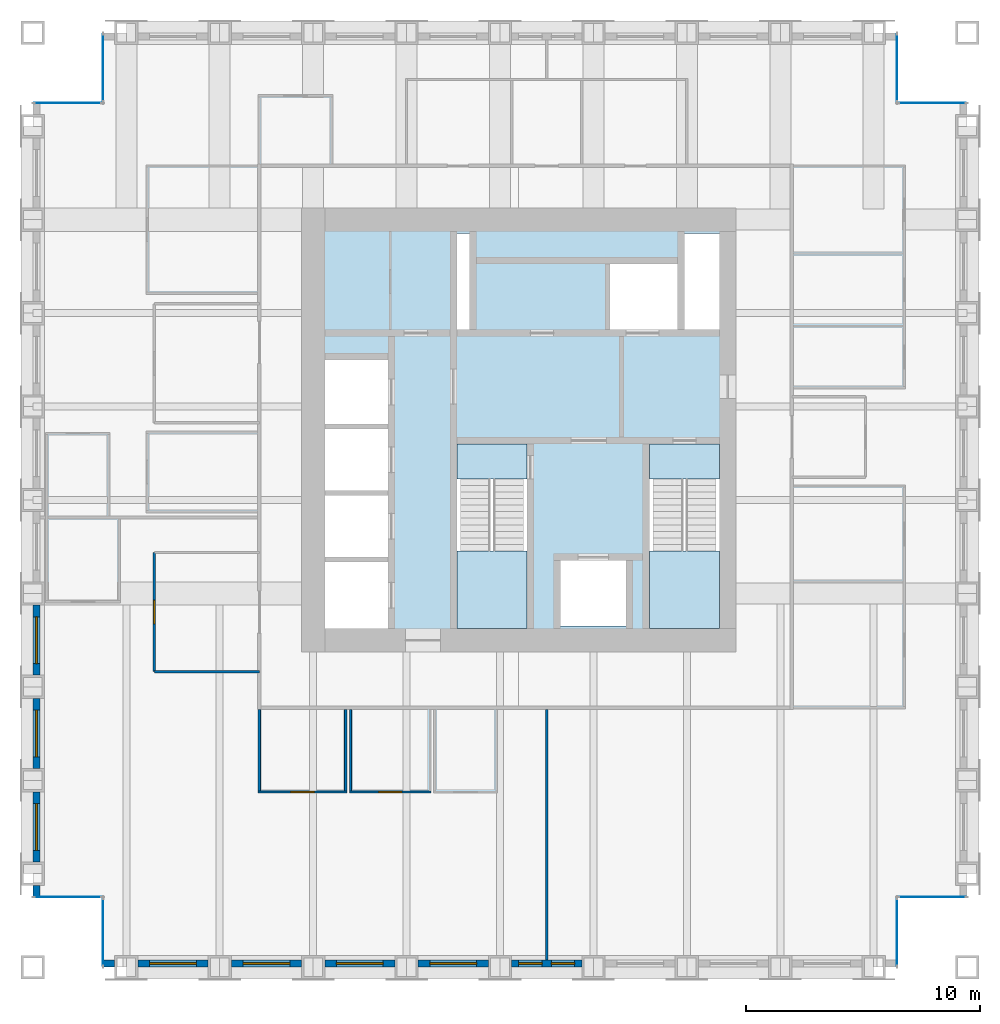
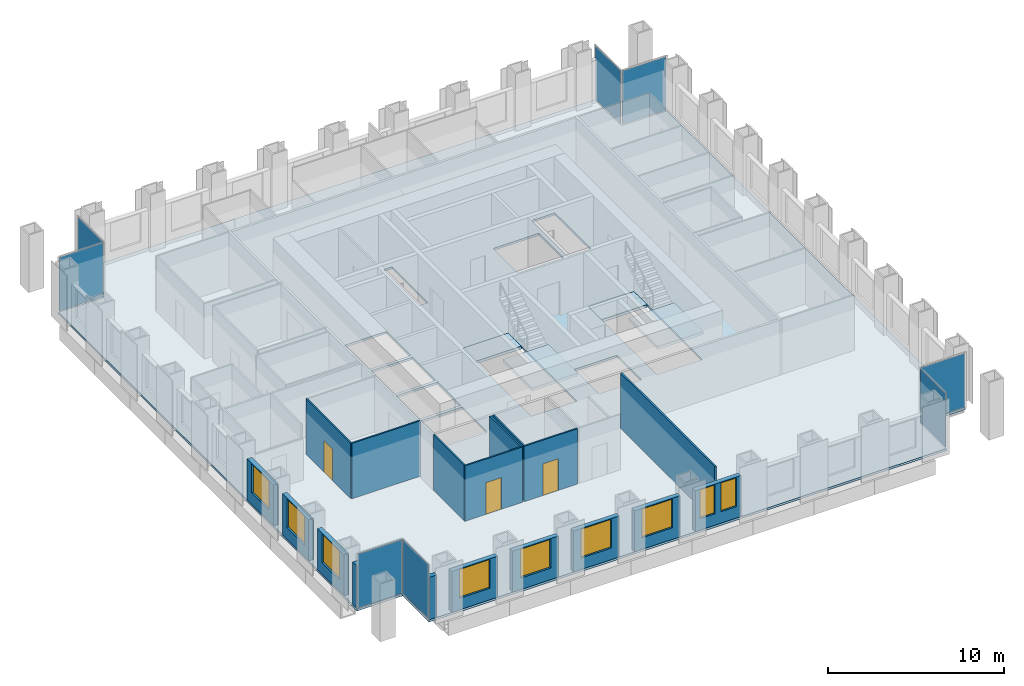
# One storey, part 7 of 13: 18 walls, 9 windows, 8 plates, 5 slabs, 3 doors, 12 openings, 10 elements without a shape of their own.
"""IFC4 building model written with IfcOpenShell, lengths in metres."""

from ifc_helpers import new_model, si_unit, direction, frame, frame_2d, origin, origin_2d, place, context, subcontext, project, spatial, polyline, rectangle, outline, extrude, material, layer, layer_set, type_object, element, fill, aggregate, save


model = new_model("IFC4")

# Units and contexts
model_context = context("Model", 3, precision=1e-05, world=origin(), true_north=direction((0.0, 1.0)))
body_context = subcontext(model_context, "Body", "Model", "MODEL_VIEW")
ifc_project = project(units=[si_unit("LENGTHUNIT", "METRE"), si_unit("AREAUNIT", "SQUARE_METRE"), si_unit("VOLUMEUNIT", "CUBIC_METRE"), si_unit("PLANEANGLEUNIT", "RADIAN"), si_unit("MASSUNIT", "GRAM", prefix="KILO")], contexts=[model_context])

# Site, building, storey
site_placement = place(None, origin())
site = spatial("IfcSite", under=ifc_project, at=site_placement, CompositionType="ELEMENT")
building_placement = place(site_placement, origin())
building = spatial("IfcBuilding", under=site, at=building_placement, Name="Rimbunsela Tower", CompositionType="ELEMENT")
storey_placement = place(building_placement, frame((0.0, 0.0, 286.199951171875)))
storey = spatial("IfcBuildingStorey", under=building, at=storey_placement, Name="L69", CompositionType="ELEMENT", Elevation=286.199951171875)

# Slab
ifc_material_1 = material(Name="Concrete fc' 35 MPa", Category="concrete")
ifc_layer_1 = layer(ifc_material_1, 0.14990234375)
ifc_layer_set_1 = layer_set([ifc_layer_1], Name="Floor slab 150")
slab_type_1 = type_object("IfcSlabType", Name="Floor slab 150", PredefinedType="FLOOR", material=ifc_layer_set_1)
slab_1_placement = place(storey_placement, frame((0.0, 0.0, -0.14990234375)))
element("IfcSlab", 1, at=slab_1_placement, inside=storey, type_object=slab_type_1, Name="Floor slab L69", PredefinedType="FLOOR", context=body_context, shape_type="SweptSolid", body=[
    extrude(outline(polyline([(9.0, 4.0), (43.0, 4.0), (43.0, 7.0), (46.0, 7.0), (46.0, 41.0), (43.0, 41.0), (43.0, 44.0), (9.0, 44.0), (9.0, 41.0), (6.0, 41.0), (6.0, 7.0), (9.0, 7.0), (9.0, 4.0)]), holes=[polyline([(21.199951171875, 21.35009765625), (18.5, 21.35009765625), (18.5, 18.5), (21.199951171875, 18.5), (21.199951171875, 21.35009765625)]), polyline([(21.199951171875, 21.550048828125), (21.199951171875, 24.199951171875), (18.5, 24.199951171875), (18.5, 21.550048828125), (21.199951171875, 21.550048828125)]), polyline([(21.199951171875, 27.050048828125), (18.5, 27.050048828125), (18.5, 24.39990234375), (21.199951171875, 24.39990234375), (21.199951171875, 27.050048828125)]), polyline([(21.199951171875, 30.0), (18.5, 30.0), (18.5, 27.25), (21.199951171875, 27.25), (21.199951171875, 30.0)]), polyline([(27.14990234375, 26.39990234375), (24.14990234375, 26.39990234375), (24.14990234375, 18.60009765625), (27.14990234375, 18.60009765625), (27.14990234375, 26.39990234375)]), polyline([(24.699951171875, 31.300048828125), (24.699951171875, 35.39990234375), (24.14990234375, 35.39990234375), (24.14990234375, 31.300048828125), (24.699951171875, 31.300048828125)]), polyline([(31.39990234375, 21.39990234375), (28.60009765625, 21.39990234375), (28.60009765625, 18.60009765625), (31.39990234375, 18.60009765625), (31.39990234375, 21.39990234375)]), polyline([(33.60009765625, 34.10009765625), (30.60009765625, 34.10009765625), (30.60009765625, 31.300048828125), (33.60009765625, 31.300048828125), (33.60009765625, 34.10009765625)]), polyline([(35.39990234375, 18.60009765625), (35.39990234375, 26.39990234375), (32.39990234375, 26.39990234375), (32.39990234375, 18.60009765625), (35.39990234375, 18.60009765625)]), polyline([(35.39990234375, 31.300048828125), (35.39990234375, 35.39990234375), (33.89990234375, 35.39990234375), (33.89990234375, 31.300048828125), (35.39990234375, 31.300048828125)])]), origin(), (0.0, 0.0, 1.0), 0.14990234375),
])

# Curtain wall, plate
ifc_material_2 = material(Name="Aluminium curtain wall", Category="aluminium")
curtain_wall_type = type_object("IfcCurtainWallType", Name="Corner glazing", PredefinedType="USERDEFINED", material=ifc_material_2)
curtain_wall_1_placement = place(storey_placement, origin())
curtain_wall_1 = element("IfcCurtainWall", 2, at=curtain_wall_1_placement, inside=storey, type_object=curtain_wall_type, Name="Corner glazing L69", ObjectType="CORNER GLAZING", PredefinedType="USERDEFINED")
ifc_material_3 = material(Name="Clear double glazing", Category="glass")
ifc_layer_2 = layer(ifc_material_3, 0.028076171875)
ifc_layer_set_2 = layer_set([ifc_layer_2], Name="Glazed panel clear")
plate_type = type_object("IfcPlateType", Name="Glazed panel clear", PredefinedType="CURTAIN_PANEL", material=ifc_layer_set_2)
plate_1_placement = place(storey_placement, frame((43.0, 5.5, 0.06005859375), z_axis=(0.0, 0.0, 1.0), x_axis=(0.0, 1.0, 0.0)))
plate_1 = element("IfcPlate", 3, at=plate_1_placement, type_object=plate_type, Name="CW5 panel 1.1", PredefinedType="CURTAIN_PANEL", context=body_context, shape_type="SweptSolid", body=[
    extrude(rectangle(XDim=2.8798828125, YDim=0.028076171875, at=origin_2d()), origin(), (0.0, 0.0, 1.0), 3.72998046875),
])
aggregate(curtain_wall_1, [plate_1])

curtain_wall_2_placement = place(storey_placement, origin())
curtain_wall_2 = element("IfcCurtainWall", 4, at=curtain_wall_2_placement, inside=storey, type_object=curtain_wall_type, Name="Corner glazing L69", ObjectType="CORNER GLAZING", PredefinedType="USERDEFINED")
plate_2_placement = place(storey_placement, frame((44.5, 7.0, 0.06005859375), z_axis=(0.0, 0.0, 1.0), x_axis=(1.0, 0.0, 0.0)))
plate_2 = element("IfcPlate", 5, at=plate_2_placement, type_object=plate_type, Name="CW5 panel 1.1", PredefinedType="CURTAIN_PANEL", context=body_context, shape_type="SweptSolid", body=[
    extrude(rectangle(XDim=2.8798828125, YDim=0.028076171875, at=origin_2d()), origin(), (0.0, 0.0, 1.0), 3.72998046875),
])
aggregate(curtain_wall_2, [plate_2])

curtain_wall_3_placement = place(storey_placement, origin())
curtain_wall_3 = element("IfcCurtainWall", 6, at=curtain_wall_3_placement, inside=storey, type_object=curtain_wall_type, Name="Corner glazing L69", ObjectType="CORNER GLAZING", PredefinedType="USERDEFINED")
plate_3_placement = place(storey_placement, frame((44.5, 41.0, 0.06005859375), z_axis=(0.0, 0.0, 1.0), x_axis=(-1.0, 0.0, 0.0)))
plate_3 = element("IfcPlate", 7, at=plate_3_placement, type_object=plate_type, Name="CW5 panel 1.1", PredefinedType="CURTAIN_PANEL", context=body_context, shape_type="SweptSolid", body=[
    extrude(rectangle(XDim=2.8798828125, YDim=0.028076171875, at=origin_2d()), origin(), (0.0, 0.0, 1.0), 3.72998046875),
])
aggregate(curtain_wall_3, [plate_3])

curtain_wall_4_placement = place(storey_placement, origin())
curtain_wall_4 = element("IfcCurtainWall", 8, at=curtain_wall_4_placement, inside=storey, type_object=curtain_wall_type, Name="Corner glazing L69", ObjectType="CORNER GLAZING", PredefinedType="USERDEFINED")
plate_4_placement = place(storey_placement, frame((43.0, 42.5, 0.06005859375), z_axis=(0.0, 0.0, 1.0), x_axis=(0.0, 1.0, 0.0)))
plate_4 = element("IfcPlate", 9, at=plate_4_placement, type_object=plate_type, Name="CW5 panel 1.1", PredefinedType="CURTAIN_PANEL", context=body_context, shape_type="SweptSolid", body=[
    extrude(rectangle(XDim=2.8798828125, YDim=0.028076171875, at=origin_2d()), origin(), (0.0, 0.0, 1.0), 3.72998046875),
])
aggregate(curtain_wall_4, [plate_4])

curtain_wall_5_placement = place(storey_placement, origin())
curtain_wall_5 = element("IfcCurtainWall", 10, at=curtain_wall_5_placement, inside=storey, type_object=curtain_wall_type, Name="Corner glazing L69", ObjectType="CORNER GLAZING", PredefinedType="USERDEFINED")
plate_5_placement = place(storey_placement, frame((9.0, 42.5, 0.06005859375), z_axis=(0.0, 0.0, 1.0), x_axis=(0.0, -1.0, 0.0)))
plate_5 = element("IfcPlate", 11, at=plate_5_placement, type_object=plate_type, Name="CW5 panel 1.1", PredefinedType="CURTAIN_PANEL", context=body_context, shape_type="SweptSolid", body=[
    extrude(rectangle(XDim=2.8798828125, YDim=0.028076171875, at=origin_2d()), origin(), (0.0, 0.0, 1.0), 3.72998046875),
])
aggregate(curtain_wall_5, [plate_5])

curtain_wall_6_placement = place(storey_placement, origin())
curtain_wall_6 = element("IfcCurtainWall", 12, at=curtain_wall_6_placement, inside=storey, type_object=curtain_wall_type, Name="Corner glazing L69", ObjectType="CORNER GLAZING", PredefinedType="USERDEFINED")
plate_6_placement = place(storey_placement, frame((7.5, 41.0, 0.06005859375), z_axis=(0.0, 0.0, 1.0), x_axis=(-1.0, 0.0, 0.0)))
plate_6 = element("IfcPlate", 13, at=plate_6_placement, type_object=plate_type, Name="CW5 panel 1.1", PredefinedType="CURTAIN_PANEL", context=body_context, shape_type="SweptSolid", body=[
    extrude(rectangle(XDim=2.8798828125, YDim=0.028076171875, at=origin_2d()), origin(), (0.0, 0.0, 1.0), 3.72998046875),
])
aggregate(curtain_wall_6, [plate_6])

curtain_wall_7_placement = place(storey_placement, origin())
curtain_wall_7 = element("IfcCurtainWall", 14, at=curtain_wall_7_placement, inside=storey, type_object=curtain_wall_type, Name="Corner glazing L69", ObjectType="CORNER GLAZING", PredefinedType="USERDEFINED")
plate_7_placement = place(storey_placement, frame((7.5, 7.0, 0.06005859375), z_axis=(0.0, 0.0, 1.0), x_axis=(1.0, 0.0, 0.0)))
plate_7 = element("IfcPlate", 15, at=plate_7_placement, type_object=plate_type, Name="CW5 panel 1.1", PredefinedType="CURTAIN_PANEL", context=body_context, shape_type="SweptSolid", body=[
    extrude(rectangle(XDim=2.8798828125, YDim=0.028076171875, at=origin_2d()), origin(), (0.0, 0.0, 1.0), 3.72998046875),
])
aggregate(curtain_wall_7, [plate_7])

curtain_wall_8_placement = place(storey_placement, origin())
curtain_wall_8 = element("IfcCurtainWall", 16, at=curtain_wall_8_placement, inside=storey, type_object=curtain_wall_type, Name="Corner glazing L69", ObjectType="CORNER GLAZING", PredefinedType="USERDEFINED")
plate_8_placement = place(storey_placement, frame((9.0, 5.5, 0.06005859375), z_axis=(0.0, 0.0, 1.0), x_axis=(0.0, -1.0, 0.0)))
plate_8 = element("IfcPlate", 17, at=plate_8_placement, type_object=plate_type, Name="CW5 panel 1.1", PredefinedType="CURTAIN_PANEL", context=body_context, shape_type="SweptSolid", body=[
    extrude(rectangle(XDim=2.8798828125, YDim=0.028076171875, at=origin_2d()), origin(), (0.0, 0.0, 1.0), 3.72998046875),
])
aggregate(curtain_wall_8, [plate_8])

# Stair, slabs
ifc_material_4 = material(Name="Concrete fc' 35 MPa", Category="concrete")
stair_type = type_object("IfcStairType", Name="Exit stair 24 risers", PredefinedType="HALF_TURN_STAIR", material=ifc_material_4)
stair_1_placement = place(storey_placement, origin())
stair_1 = element("IfcStair", 18, at=stair_1_placement, inside=storey, type_object=stair_type, Name="Exit stair A L69", PredefinedType="HALF_TURN_STAIR")
ifc_material_5 = material(Name="Concrete fc' 35 MPa", Category="concrete")
ifc_layer_3 = layer(ifc_material_5, 0.199951171875)
ifc_layer_set_3 = layer_set([ifc_layer_3], Name="Stair landing 200")
slab_type_2 = type_object("IfcSlabType", Name="Stair landing 200", PredefinedType="LANDING", material=ifc_layer_set_3)
slab_2_placement = place(storey_placement, frame((0.0, 0.0, -0.199951171875)))
slab_2 = element("IfcSlab", 19, at=slab_2_placement, type_object=slab_type_2, Name="ST-A landing 1", PredefinedType="LANDING", context=body_context, shape_type="SweptSolid", body=[
    extrude(outline(polyline([(24.14990234375, 24.89990234375), (27.14990234375, 24.89990234375), (27.14990234375, 26.39990234375), (24.14990234375, 26.39990234375), (24.14990234375, 24.89990234375)])), origin(), (0.0, 0.0, 1.0), 0.199951171875),
])
slab_3_placement = place(storey_placement, frame((0.0, 0.0, 1.800048828125)))
slab_3 = element("IfcSlab", 20, at=slab_3_placement, type_object=slab_type_2, Name="ST-A landing 2", PredefinedType="LANDING", context=body_context, shape_type="SweptSolid", body=[
    extrude(outline(polyline([(24.14990234375, 18.5), (27.14990234375, 18.5), (27.14990234375, 21.820068359375), (24.14990234375, 21.820068359375), (24.14990234375, 18.5)])), origin(), (0.0, 0.0, 1.0), 0.199951171875),
])
aggregate(stair_1, [slab_2, slab_3])

stair_2_placement = place(storey_placement, origin())
stair_2 = element("IfcStair", 21, at=stair_2_placement, inside=storey, type_object=stair_type, Name="Exit stair B L69", PredefinedType="HALF_TURN_STAIR")
slab_4_placement = place(storey_placement, frame((0.0, 0.0, -0.199951171875)))
slab_4 = element("IfcSlab", 22, at=slab_4_placement, type_object=slab_type_2, Name="ST-B landing 1", PredefinedType="LANDING", context=body_context, shape_type="SweptSolid", body=[
    extrude(outline(polyline([(32.39990234375, 24.89990234375), (35.39990234375, 24.89990234375), (35.39990234375, 26.39990234375), (32.39990234375, 26.39990234375), (32.39990234375, 24.89990234375)])), origin(), (0.0, 0.0, 1.0), 0.199951171875),
])
slab_5_placement = place(storey_placement, frame((0.0, 0.0, 1.800048828125)))
slab_5 = element("IfcSlab", 23, at=slab_5_placement, type_object=slab_type_2, Name="ST-B landing 2", PredefinedType="LANDING", context=body_context, shape_type="SweptSolid", body=[
    extrude(outline(polyline([(32.39990234375, 18.5), (35.39990234375, 18.5), (35.39990234375, 21.820068359375), (32.39990234375, 21.820068359375), (32.39990234375, 18.5)])), origin(), (0.0, 0.0, 1.0), 0.199951171875),
])
aggregate(stair_2, [slab_4, slab_5])

# Wall, opening, door
ifc_material_6 = material(Name="Gypsum board on steel studs", Category="steel")
ifc_layer_4 = layer(ifc_material_6, 0.10009765625)
ifc_layer_set_4 = layer_set([ifc_layer_4], Name="Office partition 100")
wall_type_1 = type_object("IfcWallType", Name="Office partition 100", PredefinedType="PARTITIONING", material=ifc_layer_set_4)
wall_1_placement = place(storey_placement, frame((15.64990234375, 11.5, 0.0), z_axis=(0.0, 0.0, 1.0), x_axis=(1.0, 0.0, 0.0)))
wall_1 = element("IfcWall", 24, at=wall_1_placement, inside=storey, type_object=wall_type_1, Name="Office partition", PredefinedType="PARTITIONING", context=body_context, shape_type="SweptSolid", body=[
    extrude(rectangle(XDim=3.800048828125, YDim=0.10009765625, at=frame_2d((1.89990234375, 0.0))), origin(), (0.0, 0.0, 1.0), 3.85009765625),
])
opening_1_placement = place(wall_1_placement, frame((1.39990234375, 0.0, 0.0)))
opening_1 = element("IfcOpeningElement", 25, at=opening_1_placement, cuts=wall_1, Name="Opening D17", PredefinedType="OPENING", context=body_context, shape_type="SweptSolid", body=[
    extrude(rectangle(XDim=1.0, YDim=2.199951171875, at=frame_2d((0.5, 1.10009765625))), frame((0.0, 0.06005859375, 0.0), z_axis=(0.0, -1.0, 0.0), x_axis=(1.0, 0.0, 0.0)), (0.0, 0.0, 1.0), 0.1201171875),
])
ifc_material_7 = material(Name="Glazed aluminium door", Category="aluminium")
door_type_1 = type_object("IfcDoorType", Name="Meeting room door 1000 glazed", OperationType="SINGLE_SWING_RIGHT", PredefinedType="DOOR", material=ifc_material_7)
door_1_placement = place(opening_1_placement, origin())
door_1 = element("IfcDoor", 26, at=door_1_placement, inside=storey, type_object=door_type_1, Name="Meeting room door", OperationType="SINGLE_SWING_RIGHT", OverallHeight=2.199951171875, OverallWidth=1.0, PredefinedType="DOOR", context=body_context, shape_type="SweptSolid", body=[
    extrude(rectangle(XDim=1.0, YDim=2.199951171875, at=frame_2d((0.5, 1.10009765625))), frame((0.0, 0.02490234375, 0.0), z_axis=(0.0, -1.0, 0.0), x_axis=(1.0, 0.0, 0.0)), (0.0, 0.0, 1.0), 0.050048828125),
])
fill(opening_1, door_1)

wall_2_placement = place(storey_placement, frame((19.550048828125, 11.5, 0.0), z_axis=(0.0, 0.0, 1.0), x_axis=(1.0, 0.0, 0.0)))
wall_2 = element("IfcWall", 27, at=wall_2_placement, inside=storey, type_object=wall_type_1, Name="Office partition", PredefinedType="PARTITIONING", context=body_context, shape_type="SweptSolid", body=[
    extrude(rectangle(XDim=3.5, YDim=0.10009765625, at=frame_2d((1.75, 0.0))), origin(), (0.0, 0.0, 1.0), 3.85009765625),
])
opening_2_placement = place(wall_2_placement, frame((1.25, 0.0, 0.0)))
opening_2 = element("IfcOpeningElement", 28, at=opening_2_placement, cuts=wall_2, Name="Opening D16", PredefinedType="OPENING", context=body_context, shape_type="SweptSolid", body=[
    extrude(rectangle(XDim=1.0, YDim=2.199951171875, at=frame_2d((0.5, 1.10009765625))), frame((0.0, 0.06005859375, 0.0), z_axis=(0.0, -1.0, 0.0), x_axis=(1.0, 0.0, 0.0)), (0.0, 0.0, 1.0), 0.1201171875),
])
ifc_material_8 = material(Name="Timber door", Category="wood")
door_type_2 = type_object("IfcDoorType", Name="Office door 1000", OperationType="SINGLE_SWING_LEFT", PredefinedType="DOOR", material=ifc_material_8)
door_2_placement = place(opening_2_placement, origin())
door_2 = element("IfcDoor", 29, at=door_2_placement, inside=storey, type_object=door_type_2, Name="Office door", OperationType="SINGLE_SWING_LEFT", OverallHeight=2.199951171875, OverallWidth=1.0, PredefinedType="DOOR", context=body_context, shape_type="SweptSolid", body=[
    extrude(rectangle(XDim=1.0, YDim=2.199951171875, at=frame_2d((0.5, 1.10009765625))), frame((0.0, 0.02490234375, 0.0), z_axis=(0.0, -1.0, 0.0), x_axis=(1.0, 0.0, 0.0)), (0.0, 0.0, 1.0), 0.050048828125),
])
fill(opening_2, door_2)

# Walls
for number, where, z_axis, x_axis, name in (
    (30, (15.699951171875, 11.550048828125, 0.0), (0.0, 0.0, 1.0), (0.0, 1.0, 0.0), "Office partition"),
    (31, (19.39990234375, 11.550048828125, 0.0), (0.0, 0.0, 1.0), (0.0, 1.0, 0.0), "Office partition"),
    (32, (19.60009765625, 11.550048828125, 0.0), (0.0, 0.0, 1.0), (0.0, 1.0, 0.0), "Office partition"),
):
    element("IfcWall", number, at=place(storey_placement, frame(where, z_axis=z_axis, x_axis=x_axis)), inside=storey, type_object=wall_type_1, Name=name, PredefinedType="PARTITIONING", context=body_context, shape_type="SweptSolid", body=[
        extrude(rectangle(XDim=3.474853515625, YDim=0.10009765625, at=frame_2d((1.7373046875, 0.0))), origin(), (0.0, 0.0, 1.0), 3.85009765625),
    ])

# Wall, opening, door
wall_3_placement = place(storey_placement, frame((11.199951171875, 21.75, 0.0), z_axis=(0.0, 0.0, 1.0), x_axis=(0.0, -1.0, 0.0)))
wall_3 = element("IfcWall", 33, at=wall_3_placement, inside=storey, type_object=wall_type_1, Name="Office partition", PredefinedType="PARTITIONING", context=body_context, shape_type="SweptSolid", body=[
    extrude(rectangle(XDim=5.10009765625, YDim=0.10009765625, at=frame_2d((2.550048828125, 0.0))), origin(), (0.0, 0.0, 1.0), 3.85009765625),
])
opening_3_placement = place(wall_3_placement, frame((2.050048828125, 0.0, 0.0)))
opening_3 = element("IfcOpeningElement", 34, at=opening_3_placement, cuts=wall_3, Name="Opening D17", PredefinedType="OPENING", context=body_context, shape_type="SweptSolid", body=[
    extrude(rectangle(XDim=1.0, YDim=2.199951171875, at=frame_2d((0.5, 1.10009765625))), frame((0.0, 0.06005859375, 0.0), z_axis=(0.0, -1.0, 0.0), x_axis=(1.0, 0.0, 0.0)), (0.0, 0.0, 1.0), 0.1201171875),
])
door_3_placement = place(opening_3_placement, origin())
door_3 = element("IfcDoor", 35, at=door_3_placement, inside=storey, type_object=door_type_1, Name="Reception door", OperationType="SINGLE_SWING_RIGHT", OverallHeight=2.199951171875, OverallWidth=1.0, PredefinedType="DOOR", context=body_context, shape_type="SweptSolid", body=[
    extrude(rectangle(XDim=1.0, YDim=2.199951171875, at=frame_2d((0.5, 1.10009765625))), frame((0.0, 0.02490234375, 0.0), z_axis=(0.0, -1.0, 0.0), x_axis=(1.0, 0.0, 0.0)), (0.0, 0.0, 1.0), 0.050048828125),
])
fill(opening_3, door_3)

# Walls
wall_4_placement = place(storey_placement, frame((11.199951171875, 16.64990234375, 0.0), z_axis=(0.0, 0.0, 1.0), x_axis=(1.0, 0.0, 0.0)))
element("IfcWall", 36, at=wall_4_placement, inside=storey, type_object=wall_type_1, Name="Office partition", PredefinedType="PARTITIONING", context=body_context, shape_type="SweptSolid", body=[
    extrude(rectangle(XDim=4.5, YDim=0.10009765625, at=frame_2d((2.25, 0.0))), origin(), (0.0, 0.0, 1.0), 3.85009765625),
])
ifc_material_9 = material(Name="Precast concrete fc' 35 MPa", Category="concrete")
ifc_layer_5 = layer(ifc_material_9, 0.300048828125)
ifc_layer_set_5 = layer_set([ifc_layer_5], Name="Precast concrete fc' 35 MPa")
wall_type_2 = type_object("IfcWallType", Name="Precast facade panel 300", PredefinedType="ELEMENTEDWALL", material=ifc_layer_set_5)
wall_5_placement = place(storey_placement, frame((9.030029296875, 4.14990234375, 0.0), z_axis=(0.0, 0.0, 1.0), x_axis=(1.0, 0.0, 0.0)))
element("IfcWall", 37, at=wall_5_placement, inside=storey, type_object=wall_type_2, Name="Facade panel S L69", PredefinedType="ELEMENTEDWALL", context=body_context, shape_type="SweptSolid", body=[
    extrude(rectangle(XDim=0.469970703125, YDim=0.300048828125, at=frame_2d((0.23486328125, 0.0))), origin(), (0.0, 0.0, 1.0), 2.949951171875),
])

# Wall, opening, window
wall_6_placement = place(storey_placement, frame((10.5, 4.14990234375, 0.0), z_axis=(0.0, 0.0, 1.0), x_axis=(1.0, 0.0, 0.0)))
wall_6 = element("IfcWall", 38, at=wall_6_placement, inside=storey, type_object=wall_type_2, Name="Facade panel S L69", PredefinedType="ELEMENTEDWALL", context=body_context, shape_type="SweptSolid", body=[
    extrude(rectangle(XDim=3.0, YDim=0.300048828125, at=frame_2d((1.5, 0.0))), origin(), (0.0, 0.0, 1.0), 2.85009765625),
])
opening_4_placement = place(wall_6_placement, frame((0.5, 0.0, 0.800048828125)))
opening_4 = element("IfcOpeningElement", 39, at=opening_4_placement, cuts=wall_6, Name="Opening W1", PredefinedType="OPENING", context=body_context, shape_type="SweptSolid", body=[
    extrude(rectangle(XDim=2.0, YDim=2.0, at=frame_2d((1.0, 1.0))), frame((0.0, 0.159912109375, 0.0), z_axis=(0.0, -1.0, 0.0), x_axis=(1.0, 0.0, 0.0)), (0.0, 0.0, 1.0), 0.320068359375),
])
ifc_material_10 = material(Name="Clear glass in aluminium frame", Category="aluminium")
window_type_1 = type_object("IfcWindowType", Name="Window W1 2000x2000", PartitioningType="DOUBLE_PANEL_VERTICAL", PredefinedType="WINDOW", material=ifc_material_10)
window_1_placement = place(opening_4_placement, origin())
window_1 = element("IfcWindow", 40, at=window_1_placement, inside=storey, type_object=window_type_1, Name="Window L69", OverallHeight=2.0, OverallWidth=2.0, PartitioningType="SINGLE_PANEL", PredefinedType="WINDOW", context=body_context, shape_type="SweptSolid", body=[
    extrude(rectangle(XDim=2.0, YDim=2.0, at=frame_2d((1.0, 1.0))), frame((0.0, 0.030029296875, 0.0), z_axis=(0.0, -1.0, 0.0), x_axis=(1.0, 0.0, 0.0)), (0.0, 0.0, 1.0), 0.06005859375),
])
fill(opening_4, window_1)

wall_7_placement = place(storey_placement, frame((14.5, 4.14990234375, 0.0), z_axis=(0.0, 0.0, 1.0), x_axis=(1.0, 0.0, 0.0)))
wall_7 = element("IfcWall", 41, at=wall_7_placement, inside=storey, type_object=wall_type_2, Name="Facade panel S L69", PredefinedType="ELEMENTEDWALL", context=body_context, shape_type="SweptSolid", body=[
    extrude(rectangle(XDim=3.0, YDim=0.300048828125, at=frame_2d((1.5, 0.0))), origin(), (0.0, 0.0, 1.0), 2.85009765625),
])
opening_5_placement = place(wall_7_placement, frame((0.5, 0.0, 0.800048828125)))
opening_5 = element("IfcOpeningElement", 42, at=opening_5_placement, cuts=wall_7, Name="Opening W1", PredefinedType="OPENING", context=body_context, shape_type="SweptSolid", body=[
    extrude(rectangle(XDim=2.0, YDim=2.0, at=frame_2d((1.0, 1.0))), frame((0.0, 0.159912109375, 0.0), z_axis=(0.0, -1.0, 0.0), x_axis=(1.0, 0.0, 0.0)), (0.0, 0.0, 1.0), 0.320068359375),
])
window_2_placement = place(opening_5_placement, origin())
window_2 = element("IfcWindow", 43, at=window_2_placement, inside=storey, type_object=window_type_1, Name="Window L69", OverallHeight=2.0, OverallWidth=2.0, PartitioningType="SINGLE_PANEL", PredefinedType="WINDOW", context=body_context, shape_type="SweptSolid", body=[
    extrude(rectangle(XDim=2.0, YDim=2.0, at=frame_2d((1.0, 1.0))), frame((0.0, 0.030029296875, 0.0), z_axis=(0.0, -1.0, 0.0), x_axis=(1.0, 0.0, 0.0)), (0.0, 0.0, 1.0), 0.06005859375),
])
fill(opening_5, window_2)

wall_8_placement = place(storey_placement, frame((18.5, 4.14990234375, 0.0), z_axis=(0.0, 0.0, 1.0), x_axis=(1.0, 0.0, 0.0)))
wall_8 = element("IfcWall", 44, at=wall_8_placement, inside=storey, type_object=wall_type_2, Name="Facade panel S L69", PredefinedType="ELEMENTEDWALL", context=body_context, shape_type="SweptSolid", body=[
    extrude(rectangle(XDim=3.0, YDim=0.300048828125, at=frame_2d((1.5, 0.0))), origin(), (0.0, 0.0, 1.0), 2.85009765625),
])
opening_6_placement = place(wall_8_placement, frame((0.5, 0.0, 0.800048828125)))
opening_6 = element("IfcOpeningElement", 45, at=opening_6_placement, cuts=wall_8, Name="Opening W1", PredefinedType="OPENING", context=body_context, shape_type="SweptSolid", body=[
    extrude(rectangle(XDim=2.0, YDim=2.0, at=frame_2d((1.0, 1.0))), frame((0.0, 0.159912109375, 0.0), z_axis=(0.0, -1.0, 0.0), x_axis=(1.0, 0.0, 0.0)), (0.0, 0.0, 1.0), 0.320068359375),
])
window_3_placement = place(opening_6_placement, origin())
window_3 = element("IfcWindow", 46, at=window_3_placement, inside=storey, type_object=window_type_1, Name="Window L69", OverallHeight=2.0, OverallWidth=2.0, PartitioningType="SINGLE_PANEL", PredefinedType="WINDOW", context=body_context, shape_type="SweptSolid", body=[
    extrude(rectangle(XDim=2.0, YDim=2.0, at=frame_2d((1.0, 1.0))), frame((0.0, 0.030029296875, 0.0), z_axis=(0.0, -1.0, 0.0), x_axis=(1.0, 0.0, 0.0)), (0.0, 0.0, 1.0), 0.06005859375),
])
fill(opening_6, window_3)

wall_9_placement = place(storey_placement, frame((22.5, 4.14990234375, 0.0), z_axis=(0.0, 0.0, 1.0), x_axis=(1.0, 0.0, 0.0)))
wall_9 = element("IfcWall", 47, at=wall_9_placement, inside=storey, type_object=wall_type_2, Name="Facade panel S L69", PredefinedType="ELEMENTEDWALL", context=body_context, shape_type="SweptSolid", body=[
    extrude(rectangle(XDim=3.0, YDim=0.300048828125, at=frame_2d((1.5, 0.0))), origin(), (0.0, 0.0, 1.0), 2.85009765625),
])
opening_7_placement = place(wall_9_placement, frame((0.5, 0.0, 0.800048828125)))
opening_7 = element("IfcOpeningElement", 48, at=opening_7_placement, cuts=wall_9, Name="Opening W1", PredefinedType="OPENING", context=body_context, shape_type="SweptSolid", body=[
    extrude(rectangle(XDim=2.0, YDim=2.0, at=frame_2d((1.0, 1.0))), frame((0.0, 0.159912109375, 0.0), z_axis=(0.0, -1.0, 0.0), x_axis=(1.0, 0.0, 0.0)), (0.0, 0.0, 1.0), 0.320068359375),
])
window_4_placement = place(opening_7_placement, origin())
window_4 = element("IfcWindow", 49, at=window_4_placement, inside=storey, type_object=window_type_1, Name="Window L69", OverallHeight=2.0, OverallWidth=2.0, PartitioningType="SINGLE_PANEL", PredefinedType="WINDOW", context=body_context, shape_type="SweptSolid", body=[
    extrude(rectangle(XDim=2.0, YDim=2.0, at=frame_2d((1.0, 1.0))), frame((0.0, 0.030029296875, 0.0), z_axis=(0.0, -1.0, 0.0), x_axis=(1.0, 0.0, 0.0)), (0.0, 0.0, 1.0), 0.06005859375),
])
fill(opening_7, window_4)

# Wall, openings, windows
wall_10_placement = place(storey_placement, frame((26.5, 4.14990234375, 0.0), z_axis=(0.0, 0.0, 1.0), x_axis=(1.0, 0.0, 0.0)))
wall_10 = element("IfcWall", 50, at=wall_10_placement, inside=storey, type_object=wall_type_2, Name="Facade panel S L69", PredefinedType="ELEMENTEDWALL", context=body_context, shape_type="SweptSolid", body=[
    extrude(rectangle(XDim=3.0, YDim=0.300048828125, at=frame_2d((1.5, 0.0))), origin(), (0.0, 0.0, 1.0), 2.85009765625),
])
opening_8_placement = place(wall_10_placement, frame((0.300048828125, 0.0, 0.800048828125)))
opening_8 = element("IfcOpeningElement", 51, at=opening_8_placement, cuts=wall_10, Name="Opening W5", PredefinedType="OPENING", context=body_context, shape_type="SweptSolid", body=[
    extrude(rectangle(XDim=1.0, YDim=2.0, at=frame_2d((0.5, 1.0))), frame((0.0, 0.159912109375, 0.0), z_axis=(0.0, -1.0, 0.0), x_axis=(1.0, 0.0, 0.0)), (0.0, 0.0, 1.0), 0.320068359375),
])
opening_9_placement = place(wall_10_placement, frame((1.699951171875, 0.0, 0.800048828125)))
opening_9 = element("IfcOpeningElement", 52, at=opening_9_placement, cuts=wall_10, Name="Opening W5", PredefinedType="OPENING", context=body_context, shape_type="SweptSolid", body=[
    extrude(rectangle(XDim=1.0, YDim=2.0, at=frame_2d((0.5, 1.0))), frame((0.0, 0.159912109375, 0.0), z_axis=(0.0, -1.0, 0.0), x_axis=(1.0, 0.0, 0.0)), (0.0, 0.0, 1.0), 0.320068359375),
])
ifc_material_11 = material(Name="Clear glass in aluminium frame", Category="aluminium")
window_type_2 = type_object("IfcWindowType", Name="Window W5 1000x2000", PartitioningType="SINGLE_PANEL", PredefinedType="WINDOW", material=ifc_material_11)
window_5_placement = place(opening_8_placement, origin())
window_5 = element("IfcWindow", 53, at=window_5_placement, inside=storey, type_object=window_type_2, Name="Window L69", OverallHeight=2.0, OverallWidth=1.0, PartitioningType="SINGLE_PANEL", PredefinedType="WINDOW", context=body_context, shape_type="SweptSolid", body=[
    extrude(rectangle(XDim=1.0, YDim=2.0, at=frame_2d((0.5, 1.0))), frame((0.0, 0.030029296875, 0.0), z_axis=(0.0, -1.0, 0.0), x_axis=(1.0, 0.0, 0.0)), (0.0, 0.0, 1.0), 0.06005859375),
])
fill(opening_8, window_5)
window_6_placement = place(opening_9_placement, origin())
window_6 = element("IfcWindow", 54, at=window_6_placement, inside=storey, type_object=window_type_2, Name="Window L69", OverallHeight=2.0, OverallWidth=1.0, PartitioningType="SINGLE_PANEL", PredefinedType="WINDOW", context=body_context, shape_type="SweptSolid", body=[
    extrude(rectangle(XDim=1.0, YDim=2.0, at=frame_2d((0.5, 1.0))), frame((0.0, 0.030029296875, 0.0), z_axis=(0.0, -1.0, 0.0), x_axis=(1.0, 0.0, 0.0)), (0.0, 0.0, 1.0), 0.06005859375),
])
fill(opening_9, window_6)

# Wall
wall_11_placement = place(storey_placement, frame((6.14990234375, 7.5, 0.0), z_axis=(0.0, 0.0, 1.0), x_axis=(0.0, -1.0, 0.0)))
element("IfcWall", 55, at=wall_11_placement, inside=storey, type_object=wall_type_2, Name="Facade panel W L69", PredefinedType="ELEMENTEDWALL", context=body_context, shape_type="SweptSolid", body=[
    extrude(rectangle(XDim=0.469970703125, YDim=0.300048828125, at=frame_2d((0.23486328125, 0.0))), origin(), (0.0, 0.0, 1.0), 2.949951171875),
])

# Wall, opening, window
wall_12_placement = place(storey_placement, frame((6.14990234375, 11.5, 0.0), z_axis=(0.0, 0.0, 1.0), x_axis=(0.0, -1.0, 0.0)))
wall_12 = element("IfcWall", 56, at=wall_12_placement, inside=storey, type_object=wall_type_2, Name="Facade panel W L69", PredefinedType="ELEMENTEDWALL", context=body_context, shape_type="SweptSolid", body=[
    extrude(rectangle(XDim=3.0, YDim=0.300048828125, at=frame_2d((1.5, 0.0))), origin(), (0.0, 0.0, 1.0), 2.85009765625),
])
opening_10_placement = place(wall_12_placement, frame((0.5, 0.0, 0.800048828125)))
opening_10 = element("IfcOpeningElement", 57, at=opening_10_placement, cuts=wall_12, Name="Opening W1", PredefinedType="OPENING", context=body_context, shape_type="SweptSolid", body=[
    extrude(rectangle(XDim=2.0, YDim=2.0, at=frame_2d((1.0, 1.0))), frame((0.0, 0.159912109375, 0.0), z_axis=(0.0, -1.0, 0.0), x_axis=(1.0, 0.0, 0.0)), (0.0, 0.0, 1.0), 0.320068359375),
])
window_7_placement = place(opening_10_placement, origin())
window_7 = element("IfcWindow", 58, at=window_7_placement, inside=storey, type_object=window_type_1, Name="Window L69", OverallHeight=2.0, OverallWidth=2.0, PartitioningType="SINGLE_PANEL", PredefinedType="WINDOW", context=body_context, shape_type="SweptSolid", body=[
    extrude(rectangle(XDim=2.0, YDim=2.0, at=frame_2d((1.0, 1.0))), frame((0.0, 0.030029296875, 0.0), z_axis=(0.0, -1.0, 0.0), x_axis=(1.0, 0.0, 0.0)), (0.0, 0.0, 1.0), 0.06005859375),
])
fill(opening_10, window_7)

wall_13_placement = place(storey_placement, frame((6.14990234375, 15.5, 0.0), z_axis=(0.0, 0.0, 1.0), x_axis=(0.0, -1.0, 0.0)))
wall_13 = element("IfcWall", 59, at=wall_13_placement, inside=storey, type_object=wall_type_2, Name="Facade panel W L69", PredefinedType="ELEMENTEDWALL", context=body_context, shape_type="SweptSolid", body=[
    extrude(rectangle(XDim=3.0, YDim=0.300048828125, at=frame_2d((1.5, 0.0))), origin(), (0.0, 0.0, 1.0), 2.85009765625),
])
opening_11_placement = place(wall_13_placement, frame((0.5, 0.0, 0.800048828125)))
opening_11 = element("IfcOpeningElement", 60, at=opening_11_placement, cuts=wall_13, Name="Opening W1", PredefinedType="OPENING", context=body_context, shape_type="SweptSolid", body=[
    extrude(rectangle(XDim=2.0, YDim=2.0, at=frame_2d((1.0, 1.0))), frame((0.0, 0.159912109375, 0.0), z_axis=(0.0, -1.0, 0.0), x_axis=(1.0, 0.0, 0.0)), (0.0, 0.0, 1.0), 0.320068359375),
])
window_8_placement = place(opening_11_placement, origin())
window_8 = element("IfcWindow", 61, at=window_8_placement, inside=storey, type_object=window_type_1, Name="Window L69", OverallHeight=2.0, OverallWidth=2.0, PartitioningType="SINGLE_PANEL", PredefinedType="WINDOW", context=body_context, shape_type="SweptSolid", body=[
    extrude(rectangle(XDim=2.0, YDim=2.0, at=frame_2d((1.0, 1.0))), frame((0.0, 0.030029296875, 0.0), z_axis=(0.0, -1.0, 0.0), x_axis=(1.0, 0.0, 0.0)), (0.0, 0.0, 1.0), 0.06005859375),
])
fill(opening_11, window_8)

wall_14_placement = place(storey_placement, frame((6.14990234375, 19.5, 0.0), z_axis=(0.0, 0.0, 1.0), x_axis=(0.0, -1.0, 0.0)))
wall_14 = element("IfcWall", 62, at=wall_14_placement, inside=storey, type_object=wall_type_2, Name="Facade panel W L69", PredefinedType="ELEMENTEDWALL", context=body_context, shape_type="SweptSolid", body=[
    extrude(rectangle(XDim=3.0, YDim=0.300048828125, at=frame_2d((1.5, 0.0))), origin(), (0.0, 0.0, 1.0), 2.85009765625),
])
opening_12_placement = place(wall_14_placement, frame((0.5, 0.0, 0.800048828125)))
opening_12 = element("IfcOpeningElement", 63, at=opening_12_placement, cuts=wall_14, Name="Opening W1", PredefinedType="OPENING", context=body_context, shape_type="SweptSolid", body=[
    extrude(rectangle(XDim=2.0, YDim=2.0, at=frame_2d((1.0, 1.0))), frame((0.0, 0.159912109375, 0.0), z_axis=(0.0, -1.0, 0.0), x_axis=(1.0, 0.0, 0.0)), (0.0, 0.0, 1.0), 0.320068359375),
])
window_9_placement = place(opening_12_placement, origin())
window_9 = element("IfcWindow", 64, at=window_9_placement, inside=storey, type_object=window_type_1, Name="Window L69", OverallHeight=2.0, OverallWidth=2.0, PartitioningType="SINGLE_PANEL", PredefinedType="WINDOW", context=body_context, shape_type="SweptSolid", body=[
    extrude(rectangle(XDim=2.0, YDim=2.0, at=frame_2d((1.0, 1.0))), frame((0.0, 0.030029296875, 0.0), z_axis=(0.0, -1.0, 0.0), x_axis=(1.0, 0.0, 0.0)), (0.0, 0.0, 1.0), 0.06005859375),
])
fill(opening_12, window_9)

# Wall
ifc_material_12 = material(Name="Gypsum board on steel studs", Category="steel")
ifc_layer_6 = layer(ifc_material_12, 0.1201171875)
ifc_layer_set_6 = layer_set([ifc_layer_6], Name="Tenancy partition 120")
wall_type_3 = type_object("IfcWallType", Name="Tenancy partition 120", PredefinedType="PARTITIONING", material=ifc_layer_set_6)
wall_15_placement = place(storey_placement, frame((28.0, 4.300048828125, 0.0), z_axis=(0.0, 0.0, 1.0), x_axis=(0.0, 1.0, 0.0)))
element("IfcWall", 65, at=wall_15_placement, inside=storey, type_object=wall_type_3, Name="Tenancy partition south", PredefinedType="PARTITIONING", context=body_context, shape_type="SweptSolid", body=[
    extrude(rectangle(XDim=10.724853515625, YDim=0.1201171875, at=frame_2d((5.3623046875, 0.0))), origin(), (0.0, 0.0, 1.0), 3.85009765625),
])

save(model, "model.ifc")
